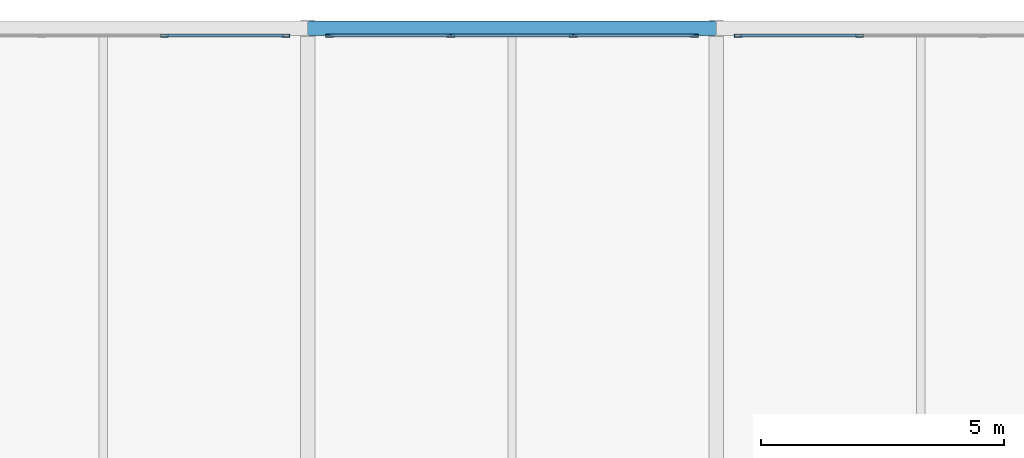
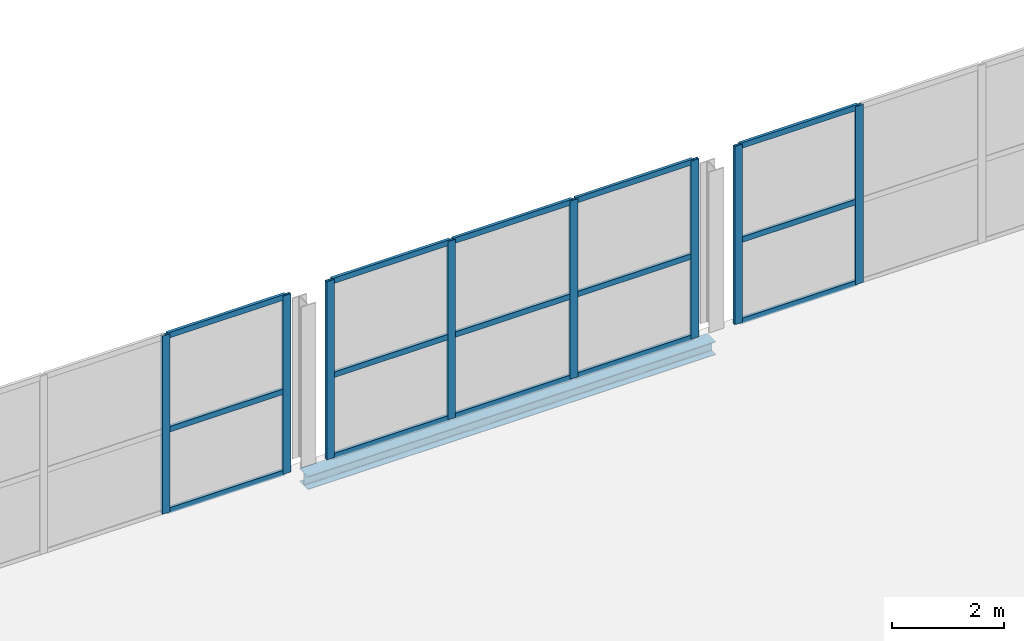
# One storey, part 65 of 103: 23 members, 1 beam, 3 elements without a shape of their own.
"""IFC4 building model written with IfcOpenShell, lengths in metres."""

from ifc_helpers import new_model, si_unit, direction, frame, origin, origin_2d, place, context, subcontext, project, spatial, hollow_rectangle, i_section, extrude, material, material_profile, profile_set, type_object, element, aggregate, save


model = new_model("IFC4")

# Units and contexts
model_context = context("Model", 3, precision=1e-05, world=origin(), true_north=direction((0.0, 1.0)))
body_context = subcontext(model_context, "Body", "Model", "MODEL_VIEW")
ifc_project = project(units=[si_unit("LENGTHUNIT", "METRE"), si_unit("AREAUNIT", "SQUARE_METRE"), si_unit("VOLUMEUNIT", "CUBIC_METRE"), si_unit("PLANEANGLEUNIT", "RADIAN"), si_unit("MASSUNIT", "GRAM", prefix="KILO")], contexts=[model_context])

# Site, building, storey
site_placement = place(None, origin())
site = spatial("IfcSite", under=ifc_project, at=site_placement, CompositionType="ELEMENT")
building_placement = place(site_placement, origin())
building = spatial("IfcBuilding", under=site, at=building_placement, Name="Veltarok Museum of Natural Sciences", CompositionType="ELEMENT")
storey_placement = place(building_placement, frame((0.0, 0.0, 21.89990234375)))
storey = spatial("IfcBuildingStorey", under=building, at=storey_placement, Name="L04", CompositionType="ELEMENT", Elevation=21.89990234375)

# Curtain wall, members
ifc_material_1 = material(Name="Low-iron triple insulated glass", Category="glass")
curtain_wall_type_1 = type_object("IfcCurtainWallType", Name="Curtain Wall System CW-V2N-L04-8-756x388 (V2 North Hall L04 8-9 756x388cm)", PredefinedType="NOTDEFINED", material=ifc_material_1)
curtain_wall_1_placement = place(storey_placement, origin())
curtain_wall_1 = element("IfcCurtainWall", 1, at=curtain_wall_1_placement, inside=storey, type_object=curtain_wall_type_1, Name="Curtain Wall CW-V2N-L04-8-756x388 CW-0063", PredefinedType="NOTDEFINED")
ifc_material_2 = material(Name="Thermally broken anodised aluminium", Category="aluminium")
ifc_material_profile_1 = material_profile(ifc_material_2, hollow_rectangle(XDim=0.06005859375, YDim=0.1201171875, WallThickness=0.0048828125, at=origin_2d()), Name="CW TRANSOM 60x120x5")
ifc_profile_set_1 = profile_set([ifc_material_profile_1], Name="Thermally broken anodised aluminium")
member_type_1 = type_object("IfcMemberType", Name="Curtain Wall Horizontal Transom 60x120x5", PredefinedType="USERDEFINED", material=ifc_profile_set_1)
member_1_placement = place(storey_placement, frame((73.1201171875, 71.85009765625, 0.030029296875), z_axis=(-1.0, 0.0, 0.0), x_axis=(0.0, -1.0, 0.0)))
member_1 = element("IfcMember", 2, at=member_1_placement, type_object=member_type_1, Name="CW-V2N-L04-8-756x388 transom 1.1", ObjectType="TRANSOM", PredefinedType="USERDEFINED", context=body_context, shape_type="SweptSolid", body=[
    extrude(hollow_rectangle(XDim=0.06005859375, YDim=0.1201171875, WallThickness=0.0048828125, at=origin_2d()), origin(), (0.0, 0.0, 1.0), 2.43017578125),
])
member_2_placement = place(storey_placement, frame((73.1201171875, 71.85009765625, 1.800048828125), z_axis=(-1.0, 0.0, 0.0), x_axis=(0.0, -1.0, 0.0)))
member_2 = element("IfcMember", 3, at=member_2_placement, type_object=member_type_1, Name="CW-V2N-L04-8-756x388 transom 1.2", ObjectType="TRANSOM", PredefinedType="USERDEFINED", context=body_context, shape_type="SweptSolid", body=[
    extrude(hollow_rectangle(XDim=0.06005859375, YDim=0.1201171875, WallThickness=0.0048828125, at=origin_2d()), origin(), (0.0, 0.0, 1.0), 2.43017578125),
])
member_3_placement = place(storey_placement, frame((73.1201171875, 71.85009765625, 3.85009765625), z_axis=(-1.0, 0.0, 0.0), x_axis=(0.0, -1.0, 0.0)))
member_3 = element("IfcMember", 4, at=member_3_placement, type_object=member_type_1, Name="CW-V2N-L04-8-756x388 transom 1.3", ObjectType="TRANSOM", PredefinedType="USERDEFINED", context=body_context, shape_type="SweptSolid", body=[
    extrude(hollow_rectangle(XDim=0.06005859375, YDim=0.1201171875, WallThickness=0.0048828125, at=origin_2d()), origin(), (0.0, 0.0, 1.0), 2.43017578125),
])

curtain_wall_type_2 = type_object("IfcCurtainWallType", Name="Curtain Wall System CW-V2N-L04-9-756x388 (V2 North Hall L04 9-10 756x388cm)", PredefinedType="NOTDEFINED", material=ifc_material_1)
curtain_wall_2_placement = place(storey_placement, origin())
curtain_wall_2 = element("IfcCurtainWall", 5, at=curtain_wall_2_placement, inside=storey, type_object=curtain_wall_type_2, Name="Curtain Wall CW-V2N-L04-9-756x388 CW-0064", PredefinedType="NOTDEFINED")
member_4_placement = place(storey_placement, frame((81.52001953125, 71.85009765625, 0.030029296875), z_axis=(-1.0, 0.0, 0.0), x_axis=(0.0, -1.0, 0.0)))
member_4 = element("IfcMember", 6, at=member_4_placement, type_object=member_type_1, Name="CW-V2N-L04-9-756x388 transom 1.1", ObjectType="TRANSOM", PredefinedType="USERDEFINED", context=body_context, shape_type="SweptSolid", body=[
    extrude(hollow_rectangle(XDim=0.06005859375, YDim=0.1201171875, WallThickness=0.0048828125, at=origin_2d()), origin(), (0.0, 0.0, 1.0), 2.429931640625),
])
member_5_placement = place(storey_placement, frame((81.52001953125, 71.85009765625, 1.800048828125), z_axis=(-1.0, 0.0, 0.0), x_axis=(0.0, -1.0, 0.0)))
member_5 = element("IfcMember", 7, at=member_5_placement, type_object=member_type_1, Name="CW-V2N-L04-9-756x388 transom 1.2", ObjectType="TRANSOM", PredefinedType="USERDEFINED", context=body_context, shape_type="SweptSolid", body=[
    extrude(hollow_rectangle(XDim=0.06005859375, YDim=0.1201171875, WallThickness=0.0048828125, at=origin_2d()), origin(), (0.0, 0.0, 1.0), 2.429931640625),
])
member_6_placement = place(storey_placement, frame((81.52001953125, 71.85009765625, 3.85009765625), z_axis=(-1.0, 0.0, 0.0), x_axis=(0.0, -1.0, 0.0)))
member_6 = element("IfcMember", 8, at=member_6_placement, type_object=member_type_1, Name="CW-V2N-L04-9-756x388 transom 1.3", ObjectType="TRANSOM", PredefinedType="USERDEFINED", context=body_context, shape_type="SweptSolid", body=[
    extrude(hollow_rectangle(XDim=0.06005859375, YDim=0.1201171875, WallThickness=0.0048828125, at=origin_2d()), origin(), (0.0, 0.0, 1.0), 2.429931640625),
])
member_7_placement = place(storey_placement, frame((79.030029296875, 71.85009765625, 0.030029296875), z_axis=(-1.0, 0.0, 0.0), x_axis=(0.0, -1.0, 0.0)))
member_7 = element("IfcMember", 9, at=member_7_placement, type_object=member_type_1, Name="CW-V2N-L04-9-756x388 transom 2.1", ObjectType="TRANSOM", PredefinedType="USERDEFINED", context=body_context, shape_type="SweptSolid", body=[
    extrude(hollow_rectangle(XDim=0.06005859375, YDim=0.1201171875, WallThickness=0.0048828125, at=origin_2d()), origin(), (0.0, 0.0, 1.0), 2.4599609375),
])
member_8_placement = place(storey_placement, frame((79.030029296875, 71.85009765625, 1.800048828125), z_axis=(-1.0, 0.0, 0.0), x_axis=(0.0, -1.0, 0.0)))
member_8 = element("IfcMember", 10, at=member_8_placement, type_object=member_type_1, Name="CW-V2N-L04-9-756x388 transom 2.2", ObjectType="TRANSOM", PredefinedType="USERDEFINED", context=body_context, shape_type="SweptSolid", body=[
    extrude(hollow_rectangle(XDim=0.06005859375, YDim=0.1201171875, WallThickness=0.0048828125, at=origin_2d()), origin(), (0.0, 0.0, 1.0), 2.4599609375),
])
member_9_placement = place(storey_placement, frame((79.030029296875, 71.85009765625, 3.85009765625), z_axis=(-1.0, 0.0, 0.0), x_axis=(0.0, -1.0, 0.0)))
member_9 = element("IfcMember", 11, at=member_9_placement, type_object=member_type_1, Name="CW-V2N-L04-9-756x388 transom 2.3", ObjectType="TRANSOM", PredefinedType="USERDEFINED", context=body_context, shape_type="SweptSolid", body=[
    extrude(hollow_rectangle(XDim=0.06005859375, YDim=0.1201171875, WallThickness=0.0048828125, at=origin_2d()), origin(), (0.0, 0.0, 1.0), 2.4599609375),
])
member_10_placement = place(storey_placement, frame((76.510009765625, 71.85009765625, 0.030029296875), z_axis=(-1.0, 0.0, 0.0), x_axis=(0.0, -1.0, 0.0)))
member_10 = element("IfcMember", 12, at=member_10_placement, type_object=member_type_1, Name="CW-V2N-L04-9-756x388 transom 3.1", ObjectType="TRANSOM", PredefinedType="USERDEFINED", context=body_context, shape_type="SweptSolid", body=[
    extrude(hollow_rectangle(XDim=0.06005859375, YDim=0.1201171875, WallThickness=0.0048828125, at=origin_2d()), origin(), (0.0, 0.0, 1.0), 2.429931640625),
])
member_11_placement = place(storey_placement, frame((76.510009765625, 71.85009765625, 1.800048828125), z_axis=(-1.0, 0.0, 0.0), x_axis=(0.0, -1.0, 0.0)))
member_11 = element("IfcMember", 13, at=member_11_placement, type_object=member_type_1, Name="CW-V2N-L04-9-756x388 transom 3.2", ObjectType="TRANSOM", PredefinedType="USERDEFINED", context=body_context, shape_type="SweptSolid", body=[
    extrude(hollow_rectangle(XDim=0.06005859375, YDim=0.1201171875, WallThickness=0.0048828125, at=origin_2d()), origin(), (0.0, 0.0, 1.0), 2.429931640625),
])
member_12_placement = place(storey_placement, frame((76.510009765625, 71.85009765625, 3.85009765625), z_axis=(-1.0, 0.0, 0.0), x_axis=(0.0, -1.0, 0.0)))
member_12 = element("IfcMember", 14, at=member_12_placement, type_object=member_type_1, Name="CW-V2N-L04-9-756x388 transom 3.3", ObjectType="TRANSOM", PredefinedType="USERDEFINED", context=body_context, shape_type="SweptSolid", body=[
    extrude(hollow_rectangle(XDim=0.06005859375, YDim=0.1201171875, WallThickness=0.0048828125, at=origin_2d()), origin(), (0.0, 0.0, 1.0), 2.429931640625),
])

curtain_wall_type_3 = type_object("IfcCurtainWallType", Name="Curtain Wall System CW-V2N-L04-10-756x388 (V2 North Hall L04 10-11 756x388cm)", PredefinedType="NOTDEFINED", material=ifc_material_1)
curtain_wall_3_placement = place(storey_placement, origin())
curtain_wall_3 = element("IfcCurtainWall", 15, at=curtain_wall_3_placement, inside=storey, type_object=curtain_wall_type_3, Name="Curtain Wall CW-V2N-L04-10-756x388 CW-0065", PredefinedType="NOTDEFINED")
member_13_placement = place(storey_placement, frame((84.909912109375, 71.85009765625, 0.030029296875), z_axis=(-1.0, 0.0, 0.0), x_axis=(0.0, -1.0, 0.0)))
member_13 = element("IfcMember", 16, at=member_13_placement, type_object=member_type_1, Name="CW-V2N-L04-10-756x388 transom 3.1", ObjectType="TRANSOM", PredefinedType="USERDEFINED", context=body_context, shape_type="SweptSolid", body=[
    extrude(hollow_rectangle(XDim=0.06005859375, YDim=0.1201171875, WallThickness=0.0048828125, at=origin_2d()), origin(), (0.0, 0.0, 1.0), 2.429931640625),
])
member_14_placement = place(storey_placement, frame((84.909912109375, 71.85009765625, 1.800048828125), z_axis=(-1.0, 0.0, 0.0), x_axis=(0.0, -1.0, 0.0)))
member_14 = element("IfcMember", 17, at=member_14_placement, type_object=member_type_1, Name="CW-V2N-L04-10-756x388 transom 3.2", ObjectType="TRANSOM", PredefinedType="USERDEFINED", context=body_context, shape_type="SweptSolid", body=[
    extrude(hollow_rectangle(XDim=0.06005859375, YDim=0.1201171875, WallThickness=0.0048828125, at=origin_2d()), origin(), (0.0, 0.0, 1.0), 2.429931640625),
])
member_15_placement = place(storey_placement, frame((84.909912109375, 71.85009765625, 3.85009765625), z_axis=(-1.0, 0.0, 0.0), x_axis=(0.0, -1.0, 0.0)))
member_15 = element("IfcMember", 18, at=member_15_placement, type_object=member_type_1, Name="CW-V2N-L04-10-756x388 transom 3.3", ObjectType="TRANSOM", PredefinedType="USERDEFINED", context=body_context, shape_type="SweptSolid", body=[
    extrude(hollow_rectangle(XDim=0.06005859375, YDim=0.1201171875, WallThickness=0.0048828125, at=origin_2d()), origin(), (0.0, 0.0, 1.0), 2.429931640625),
])

# Member
ifc_material_profile_2 = material_profile(ifc_material_2, hollow_rectangle(XDim=0.06005859375, YDim=0.159912109375, WallThickness=0.0048828125, at=origin_2d()), Name="CW MULLION 60x160x5")
ifc_profile_set_2 = profile_set([ifc_material_profile_2], Name="Thermally broken anodised aluminium")
member_type_2 = type_object("IfcMemberType", Name="Curtain Wall Vertical Mullion 60x160x5", PredefinedType="MULLION", material=ifc_profile_set_2)
member_16_placement = place(storey_placement, frame((73.14990234375, 71.85009765625, 0.0), z_axis=(0.0, 0.0, 1.0), x_axis=(0.0, -1.0, 0.0)))
member_16 = element("IfcMember", 19, at=member_16_placement, type_object=member_type_2, Name="CW-V2N-L04-8-756x388 mullion 1", PredefinedType="MULLION", context=body_context, shape_type="SweptSolid", body=[
    extrude(hollow_rectangle(XDim=0.06005859375, YDim=0.159912109375, WallThickness=0.0048828125, at=origin_2d()), origin(), (0.0, 0.0, 1.0), 3.880126953125),
])

member_17_placement = place(storey_placement, frame((70.659912109375, 71.85009765625, 0.0), z_axis=(0.0, 0.0, 1.0), x_axis=(0.0, -1.0, 0.0)))
member_17 = element("IfcMember", 20, at=member_17_placement, type_object=member_type_2, Name="CW-V2N-L04-8-756x388 mullion 2", PredefinedType="MULLION", context=body_context, shape_type="SweptSolid", body=[
    extrude(hollow_rectangle(XDim=0.06005859375, YDim=0.159912109375, WallThickness=0.0048828125, at=origin_2d()), origin(), (0.0, 0.0, 1.0), 3.880126953125),
])

aggregate(curtain_wall_1, [member_16, member_17, member_1, member_2, member_3])

member_18_placement = place(storey_placement, frame((81.550048828125, 71.85009765625, 0.0), z_axis=(0.0, 0.0, 1.0), x_axis=(0.0, -1.0, 0.0)))
member_18 = element("IfcMember", 21, at=member_18_placement, type_object=member_type_2, Name="CW-V2N-L04-9-756x388 mullion 1", PredefinedType="MULLION", context=body_context, shape_type="SweptSolid", body=[
    extrude(hollow_rectangle(XDim=0.06005859375, YDim=0.159912109375, WallThickness=0.0048828125, at=origin_2d()), origin(), (0.0, 0.0, 1.0), 3.880126953125),
])

member_19_placement = place(storey_placement, frame((79.06005859375, 71.85009765625, 0.0), z_axis=(0.0, 0.0, 1.0), x_axis=(0.0, -1.0, 0.0)))
member_19 = element("IfcMember", 22, at=member_19_placement, type_object=member_type_2, Name="CW-V2N-L04-9-756x388 mullion 2", PredefinedType="MULLION", context=body_context, shape_type="SweptSolid", body=[
    extrude(hollow_rectangle(XDim=0.06005859375, YDim=0.159912109375, WallThickness=0.0048828125, at=origin_2d()), origin(), (0.0, 0.0, 1.0), 3.880126953125),
])

member_20_placement = place(storey_placement, frame((76.5400390625, 71.85009765625, 0.0), z_axis=(0.0, 0.0, 1.0), x_axis=(0.0, -1.0, 0.0)))
member_20 = element("IfcMember", 23, at=member_20_placement, type_object=member_type_2, Name="CW-V2N-L04-9-756x388 mullion 3", PredefinedType="MULLION", context=body_context, shape_type="SweptSolid", body=[
    extrude(hollow_rectangle(XDim=0.06005859375, YDim=0.159912109375, WallThickness=0.0048828125, at=origin_2d()), origin(), (0.0, 0.0, 1.0), 3.880126953125),
])

member_21_placement = place(storey_placement, frame((74.050048828125, 71.85009765625, 0.0), z_axis=(0.0, 0.0, 1.0), x_axis=(0.0, -1.0, 0.0)))
member_21 = element("IfcMember", 24, at=member_21_placement, type_object=member_type_2, Name="CW-V2N-L04-9-756x388 mullion 4", PredefinedType="MULLION", context=body_context, shape_type="SweptSolid", body=[
    extrude(hollow_rectangle(XDim=0.06005859375, YDim=0.159912109375, WallThickness=0.0048828125, at=origin_2d()), origin(), (0.0, 0.0, 1.0), 3.880126953125),
])

aggregate(curtain_wall_2, [member_18, member_19, member_20, member_21, member_4, member_5, member_6, member_7, member_8, member_9, member_10, member_11, member_12])

member_22_placement = place(storey_placement, frame((84.93994140625, 71.85009765625, 0.0), z_axis=(0.0, 0.0, 1.0), x_axis=(0.0, -1.0, 0.0)))
member_22 = element("IfcMember", 25, at=member_22_placement, type_object=member_type_2, Name="CW-V2N-L04-10-756x388 mullion 3", PredefinedType="MULLION", context=body_context, shape_type="SweptSolid", body=[
    extrude(hollow_rectangle(XDim=0.06005859375, YDim=0.159912109375, WallThickness=0.0048828125, at=origin_2d()), origin(), (0.0, 0.0, 1.0), 3.880126953125),
])

member_23_placement = place(storey_placement, frame((82.449951171875, 71.85009765625, 0.0), z_axis=(0.0, 0.0, 1.0), x_axis=(0.0, -1.0, 0.0)))
member_23 = element("IfcMember", 26, at=member_23_placement, type_object=member_type_2, Name="CW-V2N-L04-10-756x388 mullion 4", PredefinedType="MULLION", context=body_context, shape_type="SweptSolid", body=[
    extrude(hollow_rectangle(XDim=0.06005859375, YDim=0.159912109375, WallThickness=0.0048828125, at=origin_2d()), origin(), (0.0, 0.0, 1.0), 3.880126953125),
])

aggregate(curtain_wall_3, [member_22, member_23, member_13, member_14, member_15])

# Beam
ifc_material_3 = material(Name="Steel S355J2", Category="steel")
ifc_material_profile_3 = material_profile(ifc_material_3, i_section(OverallWidth=0.300048828125, OverallDepth=0.2900390625, WebThickness=0.008544921875, FlangeThickness=0.013916015625, FilletRadius=0.027099609375, at=origin_2d()), Name="HEA 300")
ifc_profile_set_3 = profile_set([ifc_material_profile_3], Name="Steel S355J2")
beam_type = type_object("IfcBeamType", Name="Glazed Hall Edge Spandrel HEA 300", PredefinedType="SPANDREL", material=ifc_profile_set_3)
beam_placement = place(storey_placement, frame((73.60009765625, 72.0, -0.39501953125), z_axis=(1.0, 0.0, 0.0), x_axis=(0.0, 1.0, 0.0)))
element("IfcBeam", 27, at=beam_placement, inside=storey, type_object=beam_type, Name="Beam BM-SP03 L04 9-10/H", PredefinedType="SPANDREL", context=body_context, shape_type="SweptSolid", body=[
    extrude(i_section(OverallWidth=0.300048828125, OverallDepth=0.2900390625, WebThickness=0.008544921875, FlangeThickness=0.013916015625, FilletRadius=0.027099609375, at=origin_2d()), origin(), (0.0, 0.0, 1.0), 8.39990234375),
])

save(model, "model.ifc")
